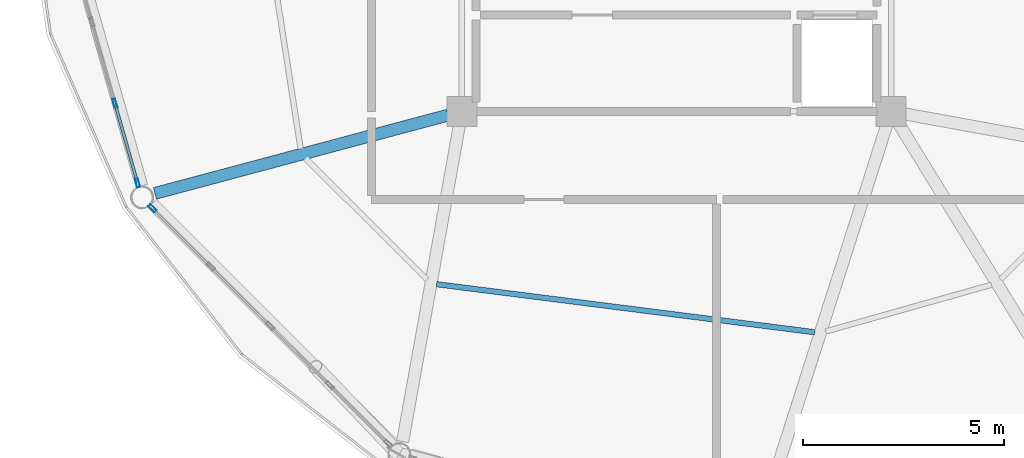
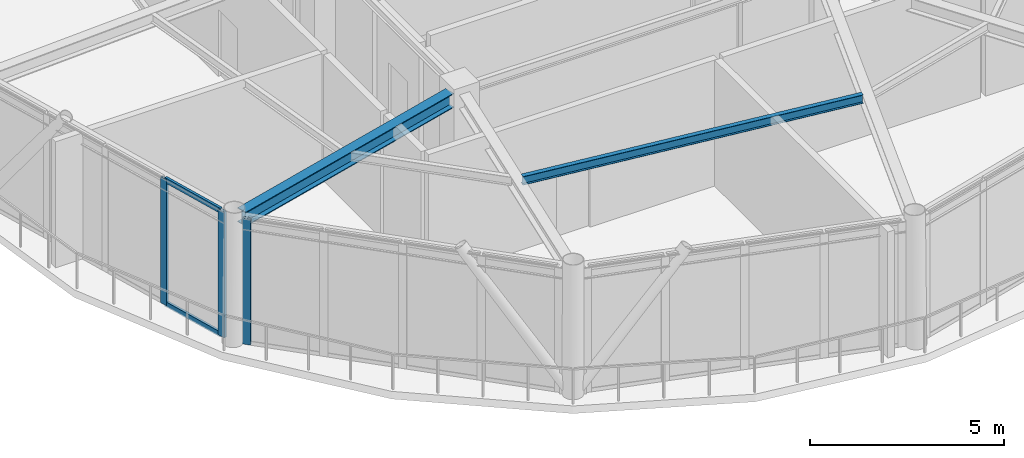
# One storey, part 3 of 21: 5 members, 2 beams, 2 elements without a shape of their own.
"""IFC4 building model written with IfcOpenShell, lengths in metres."""

from ifc_helpers import new_model, si_unit, direction, frame, origin, origin_2d, place, context, subcontext, project, spatial, hollow_rectangle, i_section, extrude, material, layer, layer_set, material_profile, profile_set, type_object, element, aggregate, save


model = new_model("IFC4")

# Units and contexts
model_context = context("Model", 3, precision=1e-05, world=origin(), true_north=direction((0.0, 1.0)))
body_context = subcontext(model_context, "Body", "Model", "MODEL_VIEW")
ifc_project = project(units=[si_unit("LENGTHUNIT", "METRE"), si_unit("AREAUNIT", "SQUARE_METRE"), si_unit("VOLUMEUNIT", "CUBIC_METRE"), si_unit("PLANEANGLEUNIT", "RADIAN"), si_unit("MASSUNIT", "GRAM", prefix="KILO")], contexts=[model_context])

# Site, building, storey
site_placement = place(None, origin())
site = spatial("IfcSite", under=ifc_project, at=site_placement, CompositionType="ELEMENT")
building_placement = place(site_placement, origin())
building = spatial("IfcBuilding", under=site, at=building_placement, Name="Varnakorn Sky Granary", CompositionType="ELEMENT")
storey_placement = place(building_placement, frame((0.0, 0.0, 294.0)))
storey = spatial("IfcBuildingStorey", under=building, at=storey_placement, Name="L75", CompositionType="ELEMENT", Elevation=294.0)

# Beams
ifc_material_1 = material(Name="Steel S355JR", Category="steel")
ifc_material_profile_1 = material_profile(ifc_material_1, i_section(OverallWidth=0.300048828125, OverallDepth=0.449951171875, WebThickness=0.013916015625, FlangeThickness=0.02587890625, at=origin_2d()), Name="HE 450 B")
ifc_profile_set_1 = profile_set([ifc_material_profile_1], Name="Steel S355JR")
beam_type_1 = type_object("IfcBeamType", Name="BM-RAD-Z5", PredefinedType="BEAM", material=ifc_profile_set_1)
beam_1_placement = place(storey_placement, frame((-2.693115234375, -6.691650390625, 3.735107421875), z_axis=(-0.966159902218, -0.25794387635, 0.0), x_axis=(0.25794387635, -0.966159902218, 0.0)))
element("IfcBeam", 1, at=beam_1_placement, inside=storey, type_object=beam_type_1, Name="Radial Floor Girder RG08 L75", PredefinedType="BEAM", context=body_context, shape_type="SweptSolid", body=[
    extrude(i_section(OverallWidth=0.300048828125, OverallDepth=0.449951171875, WebThickness=0.013916015625, FlangeThickness=0.02587890625, at=origin_2d()), origin(), (0.0, 0.0, 1.0), 7.564208984375),
])
ifc_material_profile_2 = material_profile(ifc_material_1, i_section(OverallWidth=0.135009765625, OverallDepth=0.27001953125, WebThickness=0.006591796875, FlangeThickness=0.01025390625, at=origin_2d()), Name="IPE 270")
ifc_profile_set_2 = profile_set([ifc_material_profile_2], Name="Steel S355JR")
beam_type_2 = type_object("IfcBeamType", Name="BM-SEC-Z5", PredefinedType="BEAM", material=ifc_profile_set_2)
beam_2_placement = place(storey_placement, frame((-2.97998046875, -10.906005859375, 3.824951171875), z_axis=(0.992022463153, -0.126061225604, 0.0), x_axis=(0.126061225604, 0.992022463153, 0.0)))
element("IfcBeam", 2, at=beam_2_placement, inside=storey, type_object=beam_type_2, Name="Secondary Floor Chord Beam MSB09 L75", PredefinedType="BEAM", context=body_context, shape_type="SweptSolid", body=[
    extrude(i_section(OverallWidth=0.135009765625, OverallDepth=0.27001953125, WebThickness=0.006591796875, FlangeThickness=0.01025390625, at=origin_2d()), origin(), (0.0, 0.0, 1.0), 9.50341796875),
])

# Curtain wall, members
ifc_material_2 = material(Name="Anodised Bronze Aluminium Alloy 6063-T6", Category="aluminium")
ifc_layer = layer(ifc_material_2, 0.22998046875, Name="Anodised Bronze Aluminium Alloy 6063-T6")
ifc_layer_set = layer_set([ifc_layer], Name="Anodised Bronze Aluminium Alloy 6063-T6")
curtain_wall_type = type_object("IfcCurtainWallType", Name="CW-LNT-1", PredefinedType="USERDEFINED", material=ifc_layer_set)
curtain_wall_1_placement = place(storey_placement, origin())
curtain_wall_1 = element("IfcCurtainWall", 3, at=curtain_wall_1_placement, inside=storey, type_object=curtain_wall_type, Name="Unitised Curtain Wall CW7 CW-L75-B07", ObjectType="CURTAIN WALL", PredefinedType="USERDEFINED")
ifc_material_profile_3 = material_profile(ifc_material_2, hollow_rectangle(XDim=0.074951171875, YDim=0.219970703125, WallThickness=0.00390625, at=origin_2d()), Name="ALU MULL 75x220")
ifc_profile_set_3 = profile_set([ifc_material_profile_3], Name="Anodised Bronze Aluminium Alloy 6063-T6")
member_type_1 = type_object("IfcMemberType", Name="CW-LNT-1-MULL", PredefinedType="MULLION", material=ifc_profile_set_3)
member_1_placement = place(storey_placement, frame((-10.43359375, -8.38427734375, 0.0), z_axis=(0.0, 0.0, 1.0), x_axis=(-0.961978305633, -0.273125867489, 0.0)))
member_1 = element("IfcMember", 4, at=member_1_placement, type_object=member_type_1, Name="CW7 mullion 1", PredefinedType="MULLION", context=body_context, shape_type="SweptSolid", body=[
    extrude(hollow_rectangle(XDim=0.074951171875, YDim=0.219970703125, WallThickness=0.00390625, at=origin_2d()), origin(), (0.0, 0.0, 1.0), 3.9599609375),
])
member_2_placement = place(storey_placement, frame((-10.997802734375, -6.39697265625, 0.0), z_axis=(0.0, 0.0, 1.0), x_axis=(-0.961978305633, -0.273125867489, 0.0)))
member_2 = element("IfcMember", 5, at=member_2_placement, type_object=member_type_1, Name="CW7 mullion 2", PredefinedType="MULLION", context=body_context, shape_type="SweptSolid", body=[
    extrude(hollow_rectangle(XDim=0.074951171875, YDim=0.219970703125, WallThickness=0.00390625, at=origin_2d()), origin(), (0.0, 0.0, 1.0), 3.9599609375),
])

# Curtain wall, member
curtain_wall_2_placement = place(storey_placement, origin())
curtain_wall_2 = element("IfcCurtainWall", 6, at=curtain_wall_2_placement, inside=storey, type_object=curtain_wall_type, Name="Unitised Curtain Wall CW7 CW-L75-B08", ObjectType="CURTAIN WALL", PredefinedType="USERDEFINED")
member_3_placement = place(storey_placement, frame((-10.063720703125, -9.01318359375, 0.0), z_axis=(0.0, 0.0, 1.0), x_axis=(-0.706396880071, -0.70781597031, 0.0)))
member_3 = element("IfcMember", 7, at=member_3_placement, type_object=member_type_1, Name="CW7 mullion 5", PredefinedType="MULLION", context=body_context, shape_type="SweptSolid", body=[
    extrude(hollow_rectangle(XDim=0.074951171875, YDim=0.219970703125, WallThickness=0.00390625, at=origin_2d()), origin(), (0.0, 0.0, 1.0), 3.9599609375),
])
aggregate(curtain_wall_2, [member_3])

# Member
ifc_material_profile_4 = material_profile(ifc_material_2, hollow_rectangle(XDim=0.074951171875, YDim=0.159912109375, WallThickness=0.00390625, at=origin_2d()), Name="ALU TRAN 75x160")
ifc_profile_set_4 = profile_set([ifc_material_profile_4], Name="Anodised Bronze Aluminium Alloy 6063-T6")
member_type_2 = type_object("IfcMemberType", Name="CW-LNT-1-TRAN", PredefinedType="USERDEFINED", material=ifc_profile_set_4)
member_4_placement = place(storey_placement, frame((-10.44384765625, -8.34814453125, 0.03759765625), z_axis=(-0.27311718232, 0.961980771493, 0.0), x_axis=(-0.961980771493, -0.27311718232, 0.0)))
member_4 = element("IfcMember", 8, at=member_4_placement, type_object=member_type_2, Name="CW7 transom 1.1", ObjectType="TRANSOM", PredefinedType="USERDEFINED", context=body_context, shape_type="SweptSolid", body=[
    extrude(hollow_rectangle(XDim=0.074951171875, YDim=0.159912109375, WallThickness=0.00390625, at=origin_2d()), origin(), (0.0, 0.0, 1.0), 1.99072265625),
])

member_5_placement = place(storey_placement, frame((-10.44384765625, -8.34814453125, 3.922607421875), z_axis=(-0.27311718232, 0.961980771493, 0.0), x_axis=(-0.961980771493, -0.27311718232, 0.0)))
member_5 = element("IfcMember", 9, at=member_5_placement, type_object=member_type_2, Name="CW7 transom 1.2", ObjectType="TRANSOM", PredefinedType="USERDEFINED", context=body_context, shape_type="SweptSolid", body=[
    extrude(hollow_rectangle(XDim=0.074951171875, YDim=0.159912109375, WallThickness=0.00390625, at=origin_2d()), origin(), (0.0, 0.0, 1.0), 1.99072265625),
])

aggregate(curtain_wall_1, [member_1, member_2, member_4, member_5])

save(model, "model.ifc")
